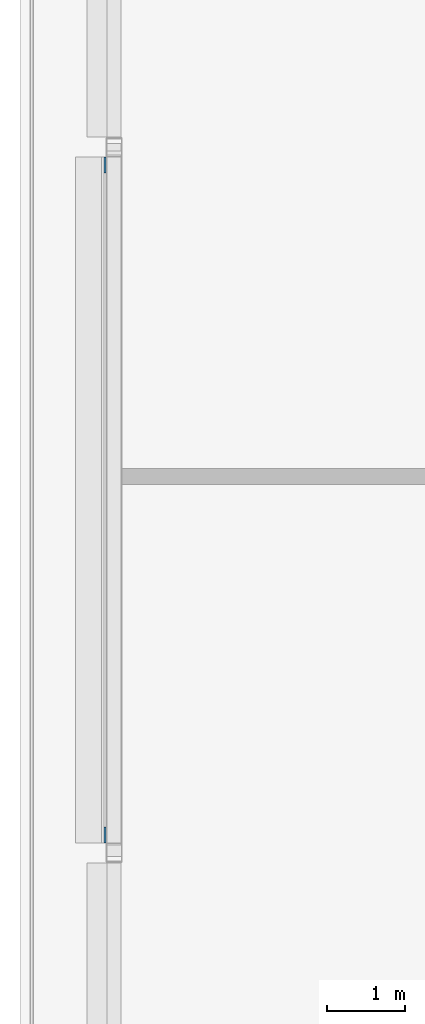
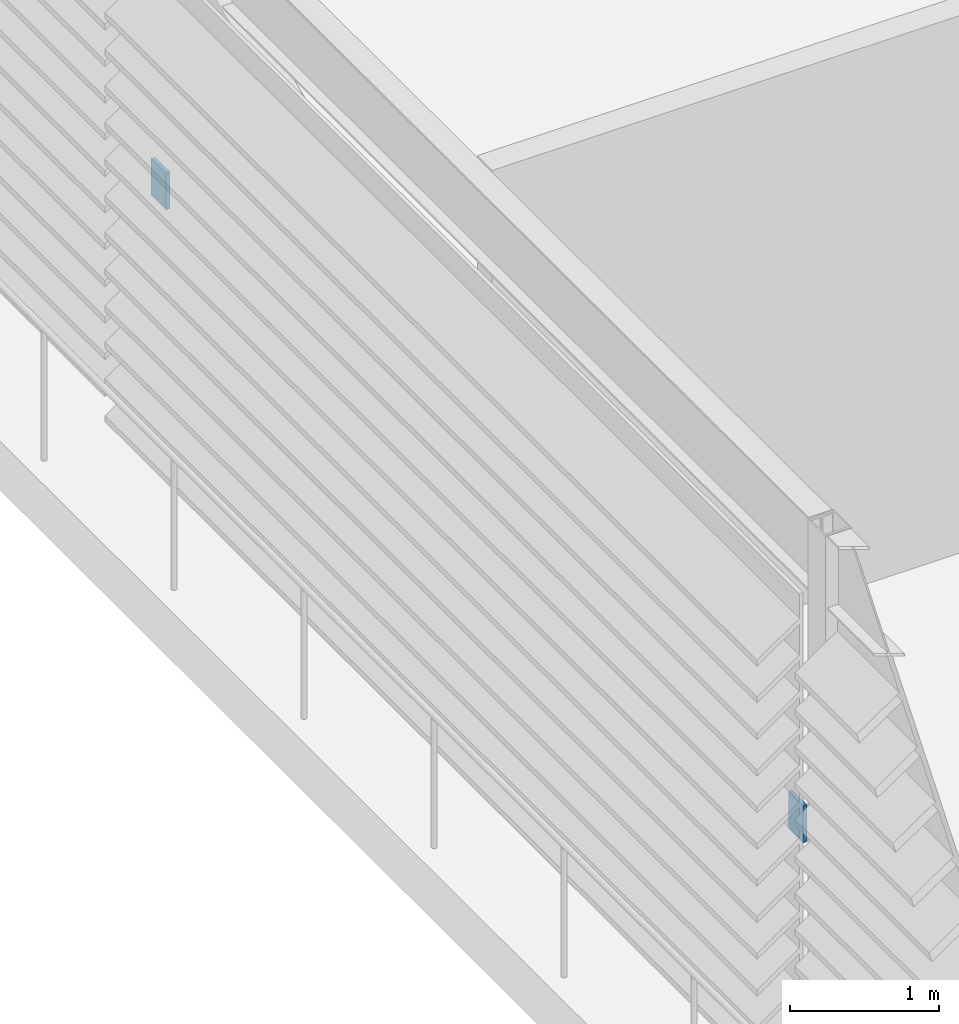
# One storey, part 20 of 29: 2 discrete accessories.
"""IFC4 building model written with IfcOpenShell, lengths in metres."""

import ifcopenshell
import ifcopenshell.guid

model = None  # the IFC model being written
_history = None  # IfcOwnerHistory: only IFC2X3 demands one
_inside = {}  # id of a spatial element -> (the spatial element, [elements in it])
_under = {}  # id of a project, library or spatial element -> (it, [spatial elements below it])
_declared = {}  # id of a project -> (the project, [libraries it declares])
_typed = {}  # id of a type object -> (the type object, [elements of that type])
_made_of = {}  # id of a material, layer set ... -> (it, [elements and type objects made of it])


def new_model(schema):
    """Start an empty IFC model of exactly this schema.

    Asked for "IFC4X3", IfcOpenShell would pick the latest addendum, in which some entities
    have other attributes; the version numbers below select the first issue.
    IFC2X3 requires an IfcOwnerHistory on every rooted entity: one is made here for all.
    """
    global model, _history
    if schema == "IFC4X3":
        model = ifcopenshell.file(schema_version=(4, 3, 0, 0))
    else:
        model = ifcopenshell.file(schema=schema)
    _inside.clear()
    _under.clear()
    _declared.clear()
    _typed.clear()
    _made_of.clear()
    _history = None
    if model.schema == "IFC2X3":
        org = make("IfcOrganization", Name="unknown")
        user = make(
            "IfcPersonAndOrganization",
            ThePerson=make("IfcPerson", FamilyName="unknown"),
            TheOrganization=org,
        )
        app = make(
            "IfcApplication",
            ApplicationDeveloper=org,
            Version="unknown",
            ApplicationFullName="unknown",
            ApplicationIdentifier="unknown",
        )
        _history = make(
            "IfcOwnerHistory",
            OwningUser=user,
            OwningApplication=app,
            ChangeAction="ADDED",
            CreationDate=0,
        )
    return model


def make(cls, **values):
    """One entity of the class cls with the attributes given. An attribute that is None is left unset."""
    return model.create_entity(
        cls, **{name: value for name, value in values.items() if value is not None}
    )


def rooted(cls, **values):
    """An entity with a GlobalId (a new one), such as an element, a storey or a relation."""
    return make(cls, GlobalId=ifcopenshell.guid.new(), OwnerHistory=_history, **values)


def si_unit(unit_type, name, prefix=None):
    """IfcSIUnit, for example si_unit("LENGTHUNIT", "METRE", prefix="MILLI")."""
    return make("IfcSIUnit", UnitType=unit_type, Prefix=prefix, Name=name)


def assignment(units):
    """IfcUnitAssignment: the units of a project."""
    return None if units is None else make("IfcUnitAssignment", Units=units)


def point(xyz):
    """IfcCartesianPoint."""
    return None if xyz is None else make("IfcCartesianPoint", Coordinates=xyz)


def direction(xyz):
    """IfcDirection."""
    return None if xyz is None else make("IfcDirection", DirectionRatios=xyz)


def frame(location, z_axis=None, x_axis=None):
    """IfcAxis2Placement3D, a coordinate frame: its origin and axes. An axis left out is left unset."""
    return make(
        "IfcAxis2Placement3D",
        Location=point(location),
        Axis=direction(z_axis),
        RefDirection=direction(x_axis),
    )


def frame_2d(location, x_axis=None):
    """IfcAxis2Placement2D, a coordinate frame in the plane: its origin and x axis."""
    return make(
        "IfcAxis2Placement2D", Location=point(location), RefDirection=direction(x_axis)
    )


def origin():
    """The frame at (0, 0, 0) with its axes left unset."""
    return frame((0.0, 0.0, 0.0))


def origin_2d():
    """The frame at (0, 0) in the plane with its x axis left unset."""
    return frame_2d((0.0, 0.0))


def place(relative_to, where):
    """IfcLocalPlacement: puts the frame where relative to a parent placement (None: the world)."""
    return make(
        "IfcLocalPlacement", PlacementRelTo=relative_to, RelativePlacement=where
    )


def context(
    kind, dimensions, precision=None, world=None, true_north=None, identifier=None
):
    """IfcGeometricRepresentationContext, for example the 3D "Model" context."""
    return make(
        "IfcGeometricRepresentationContext",
        ContextIdentifier=identifier,
        ContextType=kind,
        CoordinateSpaceDimension=dimensions,
        Precision=precision,
        WorldCoordinateSystem=world,
        TrueNorth=true_north,
    )


def subcontext(parent, identifier, kind, view, scale=None):
    """IfcGeometricRepresentationSubContext, for example "Body" below "Model"."""
    return make(
        "IfcGeometricRepresentationSubContext",
        ContextIdentifier=identifier,
        ContextType=kind,
        ParentContext=parent,
        TargetScale=scale,
        TargetView=view,
    )


def project(units=None, contexts=None):
    """IfcProject with its units and contexts."""
    return rooted(
        "IfcProject",
        Name="project",
        RepresentationContexts=contexts,
        UnitsInContext=assignment(units),
    )


def spatial(cls, under=None, at=None, **own):
    """A site, building, storey or space (cls), placed at a placement, below another one or the project."""
    s = rooted(cls, ObjectPlacement=at, **own)
    if under is not None:
        _under.setdefault(under.id(), (under, []))[1].append(s)
    return s


def profile(cls, at=None, kind="AREA", **sizes):
    """A parametric profile (cls). Its sizes go by their IFC names, for example OverallWidth=200.0."""
    return make(cls, ProfileType=kind, Position=at, **sizes)


def rectangle(**sizes):
    """IfcRectangleProfileDef."""
    return profile("IfcRectangleProfileDef", **sizes)


def extrude(swept, where, along, depth):
    """IfcExtrudedAreaSolid: the profile swept, set in the frame where, extruded along a direction by depth."""
    return make(
        "IfcExtrudedAreaSolid",
        SweptArea=swept,
        Position=where,
        ExtrudedDirection=direction(along),
        Depth=depth,
    )


def shape(context_of_items, identifier, shape_type, items):
    """IfcShapeRepresentation: the items that make up one representation, for example the "Body"."""
    return make(
        "IfcShapeRepresentation",
        ContextOfItems=context_of_items,
        RepresentationIdentifier=identifier,
        RepresentationType=shape_type,
        Items=items,
    )


def material(Name=None, Category=None):
    """IfcMaterial."""
    return make("IfcMaterial", Name=Name, Category=Category)


def made_of(thing, what):
    """Note that an element or type object is made of a material, layer set ...; save() writes the relation."""
    if what is not None:
        _made_of.setdefault(what.id(), (what, []))[1].append(thing)
    return thing


def type_object(cls, material=None, **own):
    """A type object (cls), such as IfcWallType, which elements share."""
    return made_of(rooted(cls, **own), material)


def element(
    cls,
    number,
    at=None,
    inside=None,
    cuts=None,
    type_object=None,
    material=None,
    context=None,
    identifier="Body",
    shape_type=None,
    held_by="IfcProductDefinitionShape",
    body=None,
    shapes=None,
    **own,
):
    """One element of the class cls, such as IfcWall. Its Tag is "e" and its number.

    at: its placement. inside: the storey or other place that contains it. cuts: it is an
    opening in that element (IfcRelVoidsElement). A single representation is given by context,
    identifier, shape_type and body (its items); several are given by shapes. held_by: the class
    of the entity that holds the representations. save() writes the other relations.
    """
    e = rooted(cls, Tag="e%d" % number, ObjectPlacement=at, **own)
    if body is not None:
        shapes = [shape(context, identifier, shape_type, body)]
    if shapes is not None:
        e.Representation = make(held_by, Representations=shapes)
    if inside is not None:
        _inside.setdefault(inside.id(), (inside, []))[1].append(e)
    if cuts is not None:
        rooted(
            "IfcRelVoidsElement", RelatingBuildingElement=cuts, RelatedOpeningElement=e
        )
    if type_object is not None:
        _typed.setdefault(type_object.id(), (type_object, []))[1].append(e)
    return made_of(e, material)


def aggregate(whole, parts):
    """IfcRelAggregates: a whole, such as a stair, and the parts it consists of."""
    return rooted("IfcRelAggregates", RelatingObject=whole, RelatedObjects=parts)


def save(model, path):
    """Write the relations noted so far, then the file.

    IfcRelAggregates (storeys below a building ...), IfcRelContainedInSpatialStructure (elements
    in a storey), IfcRelDefinesByType, IfcRelAssociatesMaterial and IfcRelDeclares: one each for
    every whole, place, type object, material and project.
    """
    for whole, parts in _under.values():
        aggregate(whole, parts)
    for where, things in _inside.values():
        rooted(
            "IfcRelContainedInSpatialStructure",
            RelatedElements=things,
            RelatingStructure=where,
        )
    for kind, things in _typed.values():
        rooted("IfcRelDefinesByType", RelatedObjects=things, RelatingType=kind)
    for what, things in _made_of.values():
        rooted("IfcRelAssociatesMaterial", RelatedObjects=things, RelatingMaterial=what)
    for by, libraries in _declared.values():
        rooted("IfcRelDeclares", RelatingContext=by, RelatedDefinitions=libraries)
    model.write(path)


model = new_model("IFC4")

# Units and contexts
model_context = context("Model", 3, precision=1e-05, world=origin(), true_north=direction((0.0, 1.0)))
body_context = subcontext(model_context, "Body", "Model", "MODEL_VIEW")
ifc_project = project(units=[si_unit("LENGTHUNIT", "METRE"), si_unit("AREAUNIT", "SQUARE_METRE"), si_unit("VOLUMEUNIT", "CUBIC_METRE"), si_unit("PLANEANGLEUNIT", "RADIAN"), si_unit("MASSUNIT", "GRAM", prefix="KILO")], contexts=[model_context])

# Site, building, storey
site_placement = place(None, origin())
site = spatial("IfcSite", under=ifc_project, at=site_placement, CompositionType="ELEMENT")
building_placement = place(site_placement, origin())
building = spatial("IfcBuilding", under=site, at=building_placement, Name="Madar Terraces", CompositionType="ELEMENT")
storey_placement = place(building_placement, frame((0.0, 0.0, 296.300048828125)))
storey = spatial("IfcBuildingStorey", under=building, at=storey_placement, Name="L77", CompositionType="ELEMENT", Elevation=296.300048828125)

# Discrete accessories
ifc_material = material(Name="Steel, galvanised", Category="steel")
discrete_accessory_type = type_object("IfcDiscreteAccessoryType", Name="Louvre bank bracket", PredefinedType="BRACKET", material=ifc_material)
for number, where, z_axis, x_axis, name in (
    (1, (1.08349609375, 32.77294921875, 1.7490234375), (0.0, 0.0, 1.0), (0.0, -1.0, 0.0), "Louvre bank bracket"),
    (2, (1.08349609375, 24.22705078125, 1.7490234375), (0.0, 0.0, 1.0), (0.0, -1.0, 0.0), "Louvre bank bracket"),
):
    element("IfcDiscreteAccessory", number, at=place(storey_placement, frame(where, z_axis=z_axis, x_axis=x_axis)), inside=storey, type_object=discrete_accessory_type, Name=name, PredefinedType="BRACKET", context=body_context, shape_type="SweptSolid", body=[
        extrude(rectangle(XDim=0.199951171875, YDim=0.030029296875, at=origin_2d()), origin(), (0.0, 0.0, 1.0), 0.300048828125),
    ])

save(model, "model.ifc")
